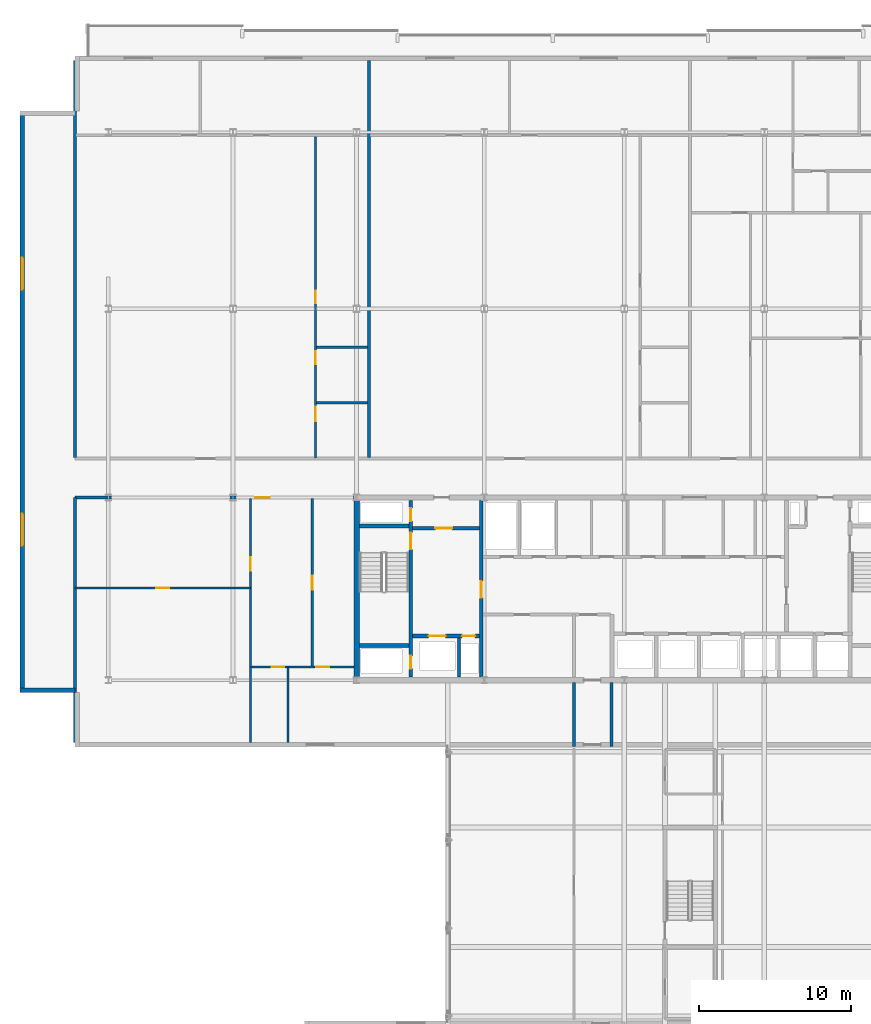
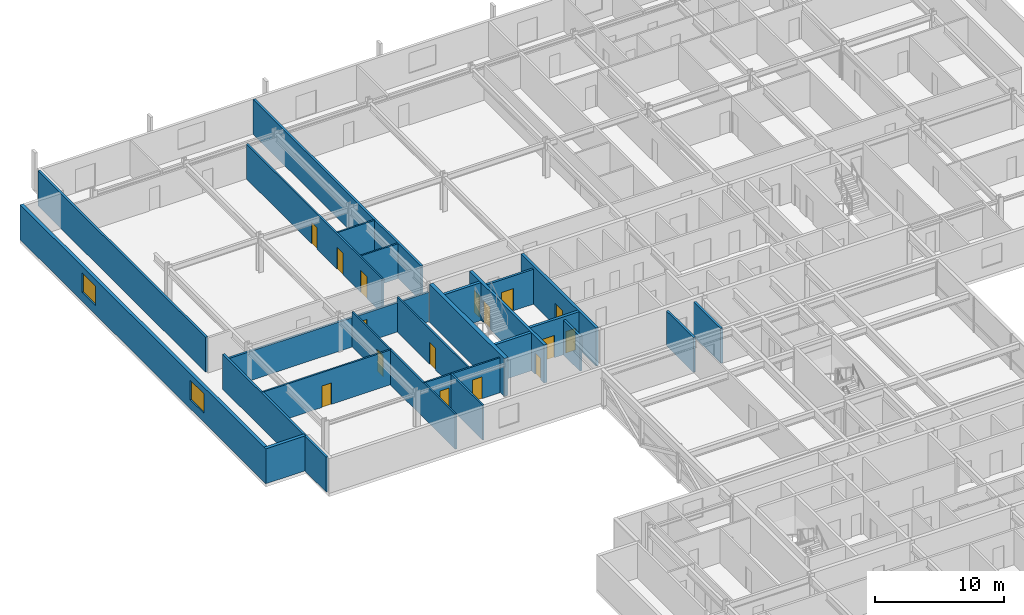
# One storey, part 24 of 36: 24 walls, 16 doors, 2 windows, 18 openings.
"""IFC4 building model written with IfcOpenShell, lengths in metres."""

from ifc_helpers import new_model, si_unit, direction, frame, frame_2d, origin, place, context, subcontext, project, spatial, rectangle, extrude, material, layer, layer_set, type_object, element, fill, save


model = new_model("IFC4")

# Units and contexts
model_context = context("Model", 3, precision=1e-05, world=origin(), true_north=direction((0.0, 1.0)))
body_context = subcontext(model_context, "Body", "Model", "MODEL_VIEW")
ifc_project = project(units=[si_unit("LENGTHUNIT", "METRE"), si_unit("AREAUNIT", "SQUARE_METRE"), si_unit("VOLUMEUNIT", "CUBIC_METRE"), si_unit("PLANEANGLEUNIT", "RADIAN"), si_unit("MASSUNIT", "GRAM", prefix="KILO")], contexts=[model_context])

# Site, building, storey
site_placement = place(None, origin())
site = spatial("IfcSite", under=ifc_project, at=site_placement, CompositionType="ELEMENT")
building_placement = place(site_placement, origin())
building = spatial("IfcBuilding", under=site, at=building_placement, Name="Korimba Cascade Residences", CompositionType="ELEMENT")
storey_placement = place(building_placement, frame((0.0, 0.0, 139.300048828125)))
storey = spatial("IfcBuildingStorey", under=building, at=storey_placement, Name="L40", CompositionType="ELEMENT", Elevation=139.300048828125)

# Wall, openings, windows
ifc_material_1 = material(Name="Precast concrete C40/50", Category="concrete")
ifc_layer_1 = layer(ifc_material_1, 0.300048828125)
ifc_layer_set_1 = layer_set([ifc_layer_1], Name="Precast concrete C40/50")
wall_type_1 = type_object("IfcWallType", Name="EW-STONE-300", PredefinedType="STANDARD", material=ifc_layer_set_1)
wall_1_placement = place(storey_placement, frame((54.14990234375, 92.60009765625, 0.0), z_axis=(0.0, 0.0, 1.0), x_axis=(0.0, -1.0, 0.0)))
wall_1 = element("IfcWall", 1, at=wall_1_placement, inside=storey, type_object=wall_type_1, Name="L40 T1 Perimeter Stone Wall E09", PredefinedType="STANDARD", context=body_context, shape_type="SweptSolid", body=[
    extrude(rectangle(XDim=38.2001953125, YDim=0.300048828125, at=frame_2d((19.10009765625, 0.0))), origin(), (0.0, 0.0, 1.0), 3.31005859375),
])
opening_1_placement = place(wall_1_placement, frame((9.64599609375, 0.0, 0.85009765625)))
opening_1 = element("IfcOpeningElement", 2, at=opening_1_placement, cuts=wall_1, Name="Opening W-03", PredefinedType="OPENING", context=body_context, shape_type="SweptSolid", body=[
    extrude(rectangle(XDim=2.10009765625, YDim=1.85009765625, at=frame_2d((1.050048828125, 0.925048828125))), frame((0.0, 0.16015625, 0.0), z_axis=(0.0, -1.0, 0.0), x_axis=(1.0, 0.0, 0.0)), (0.0, 0.0, 1.0), 0.320068359375),
])
opening_2_placement = place(wall_1_placement, frame((26.4541015625, 0.0, 0.85009765625)))
opening_2 = element("IfcOpeningElement", 3, at=opening_2_placement, cuts=wall_1, Name="Opening W-03", PredefinedType="OPENING", context=body_context, shape_type="SweptSolid", body=[
    extrude(rectangle(XDim=2.10009765625, YDim=1.85009765625, at=frame_2d((1.050048828125, 0.925048828125))), frame((0.0, 0.16015625, 0.0), z_axis=(0.0, -1.0, 0.0), x_axis=(1.0, 0.0, 0.0)), (0.0, 0.0, 1.0), 0.320068359375),
])
ifc_material_2 = material(Name="Double-Glazed Aluminium Window", Category="aluminium")
window_type = type_object("IfcWindowType", Name="WIN-CRN-2100", PartitioningType="DOUBLE_PANEL_HORIZONTAL", PredefinedType="WINDOW", material=ifc_material_2)
window_1_placement = place(opening_1_placement, origin())
window_1 = element("IfcWindow", 4, at=window_1_placement, inside=storey, type_object=window_type, Name="L40 T1 End View Window 9.1", OverallHeight=1.85009765625, OverallWidth=2.10009765625, PartitioningType="DOUBLE_PANEL_HORIZONTAL", PredefinedType="WINDOW", context=body_context, shape_type="SweptSolid", body=[
    extrude(rectangle(XDim=2.10009765625, YDim=1.85009765625, at=frame_2d((1.050048828125, 0.925048828125))), frame((0.0, 0.030029296875, 0.0), z_axis=(0.0, -1.0, 0.0), x_axis=(1.0, 0.0, 0.0)), (0.0, 0.0, 1.0), 0.06005859375),
])
fill(opening_1, window_1)
window_2_placement = place(opening_2_placement, origin())
window_2 = element("IfcWindow", 5, at=window_2_placement, inside=storey, type_object=window_type, Name="L40 T1 End View Window 9.2", OverallHeight=1.85009765625, OverallWidth=2.10009765625, PartitioningType="DOUBLE_PANEL_HORIZONTAL", PredefinedType="WINDOW", context=body_context, shape_type="SweptSolid", body=[
    extrude(rectangle(XDim=2.10009765625, YDim=1.85009765625, at=frame_2d((1.050048828125, 0.925048828125))), frame((0.0, 0.030029296875, 0.0), z_axis=(0.0, -1.0, 0.0), x_axis=(1.0, 0.0, 0.0)), (0.0, 0.0, 1.0), 0.06005859375),
])
fill(opening_2, window_2)

# Walls
wall_2_placement = place(storey_placement, frame((54.0, 54.550048828125, 0.0), z_axis=(0.0, 0.0, 1.0), x_axis=(1.0, 0.0, 0.0)))
element("IfcWall", 6, at=wall_2_placement, inside=storey, type_object=wall_type_1, Name="L40 T1 Perimeter Stone Wall E10", PredefinedType="STANDARD", context=body_context, shape_type="SweptSolid", body=[
    extrude(rectangle(XDim=3.60009765625, YDim=0.300048828125, at=frame_2d((1.800048828125, 0.0))), origin(), (0.0, 0.0, 1.0), 3.31005859375),
])
ifc_material_3 = material(Name="Concrete C65/80", Category="concrete")
ifc_layer_2 = layer(ifc_material_3, 0.35009765625)
ifc_layer_set_2 = layer_set([ifc_layer_2], Name="Concrete C65/80")
wall_type_2 = type_object("IfcWallType", Name="WAL-CORE-350", PredefinedType="SHEAR", material=ifc_layer_set_2)
wall_3_placement = place(storey_placement, frame((76.125, 55.375, 0.0), z_axis=(0.0, 0.0, 1.0), x_axis=(0.0, 1.0, 0.0)))
element("IfcWall", 7, at=wall_3_placement, inside=storey, type_object=wall_type_2, Name="L40 Core Shear Wall CW-L40-T1-W", PredefinedType="SHEAR", context=body_context, shape_type="SweptSolid", body=[
    extrude(rectangle(XDim=11.64990234375, YDim=0.35009765625, at=frame_2d((5.824951171875, 0.0))), origin(), (0.0, 0.0, 1.0), 3.599853515625),
])
ifc_layer_3 = layer(ifc_material_1, 0.199951171875)
ifc_layer_set_3 = layer_set([ifc_layer_3], Name="Precast concrete C40/50")
wall_type_3 = type_object("IfcWallType", Name="WAL-IT-200", PredefinedType="PARTITIONING", material=ifc_layer_set_3)
wall_4_placement = place(storey_placement, frame((57.60009765625, 51.10009765625, 0.0), z_axis=(0.0, 0.0, 1.0), x_axis=(0.0, 1.0, 0.0)))
element("IfcWall", 8, at=wall_4_placement, inside=storey, type_object=wall_type_3, Name="L40 Partition Wall WAL-L40-T1-FW-WL", PredefinedType="PARTITIONING", context=body_context, shape_type="SweptSolid", body=[
    extrude(rectangle(XDim=16.099853515625, YDim=0.199951171875, at=frame_2d((8.0498046875, 0.0))), origin(), (0.0, 0.0, 1.0), 3.31005859375),
])

# Wall, opening, door
wall_5_placement = place(storey_placement, frame((57.60009765625, 67.199951171875, 0.0), z_axis=(0.0, 0.0, 1.0), x_axis=(1.0, 0.0, 0.0)))
wall_5 = element("IfcWall", 9, at=wall_5_placement, inside=storey, type_object=wall_type_3, Name="L40 Partition Wall WAL-L40-T1-FW-N", PredefinedType="PARTITIONING", context=body_context, shape_type="SweptSolid", body=[
    extrude(rectangle(XDim=18.349853515625, YDim=0.199951171875, at=frame_2d((9.1748046875, 0.0))), origin(), (0.0, 0.0, 1.0), 2.773193359375),
])
opening_3_placement = place(wall_5_placement, frame((11.8701171875, 0.0, 0.0)))
opening_3 = element("IfcOpeningElement", 10, at=opening_3_placement, cuts=wall_5, Name="Opening D-UN1", PredefinedType="OPENING", context=body_context, shape_type="SweptSolid", body=[
    extrude(rectangle(XDim=0.949951171875, YDim=2.14990234375, at=frame_2d((0.47509765625, 1.074951171875))), frame((0.0, 0.10986328125, 0.0), z_axis=(0.0, -1.0, 0.0), x_axis=(1.0, 0.0, 0.0)), (0.0, 0.0, 1.0), 0.219970703125),
])
ifc_material_4 = material(Name="Fire-Rated Hardwood Apartment Entrance Door", Category="wood")
door_type_1 = type_object("IfcDoorType", Name="DR-FD60-950", OperationType="NOTDEFINED", PredefinedType="DOOR", material=ifc_material_4)
door_1_placement = place(opening_3_placement, origin())
door_1 = element("IfcDoor", 11, at=door_1_placement, inside=storey, type_object=door_type_1, Name="L40-T1-FW Entrance Door", OperationType="SINGLE_SWING_RIGHT", OverallHeight=2.14990234375, OverallWidth=0.949951171875, PredefinedType="DOOR", context=body_context, shape_type="SweptSolid", body=[
    extrude(rectangle(XDim=0.949951171875, YDim=2.14990234375, at=frame_2d((0.47509765625, 1.074951171875))), frame((0.0, 0.02490234375, 0.0), z_axis=(0.0, -1.0, 0.0), x_axis=(1.0, 0.0, 0.0)), (0.0, 0.0, 1.0), 0.050048828125),
])
fill(opening_3, door_1)

# Walls
for number, where, z_axis, x_axis, name in (
    (12, (57.60009765625, 69.830078125, 0.0), (0.0, 0.0, 1.0), (0.0, 1.0, 0.0), "L40 Partition Wall WAL-L40-T1-BNDWL"),
    (13, (76.914306640625, 69.830078125, 0.0), (0.0, 0.0, 1.0), (0.0, 1.0, 0.0), "L40 Partition Wall WAL-L40-T1-DEM-1"),
):
    element("IfcWall", number, at=place(storey_placement, frame(where, z_axis=z_axis, x_axis=x_axis)), inside=storey, type_object=wall_type_3, Name=name, PredefinedType="PARTITIONING", context=body_context, shape_type="SweptSolid", body=[
        extrude(rectangle(XDim=26.06982421875, YDim=0.199951171875, at=frame_2d((13.034912109375, 0.0))), origin(), (0.0, 0.0, 1.0), 3.31005859375),
    ])

# Wall, opening, door
ifc_material_5 = material(Name="Insulated Acoustic Stud Partition", Category="gypsum")
ifc_layer_4 = layer(ifc_material_5, 0.14990234375)
ifc_layer_set_4 = layer_set([ifc_layer_4], Name="Insulated Acoustic Stud Partition")
wall_type_4 = type_object("IfcWallType", Name="WAL-PART-150", PredefinedType="PARTITIONING", material=ifc_layer_set_4)
wall_6_placement = place(storey_placement, frame((57.60009765625, 61.25, 0.0), z_axis=(0.0, 0.0, 1.0), x_axis=(1.0, 0.0, 0.0)))
wall_6 = element("IfcWall", 14, at=wall_6_placement, inside=storey, type_object=wall_type_4, Name="L40 Partition Wall WAL-L40-T1-FW-STH", PredefinedType="PARTITIONING", context=body_context, shape_type="SweptSolid", body=[
    extrude(rectangle(XDim=11.5498046875, YDim=0.14990234375, at=frame_2d((5.77490234375, 0.0))), origin(), (0.0, 0.0, 1.0), 3.31005859375),
])
opening_4_placement = place(wall_6_placement, frame((5.35498046875, 0.0, 0.0)))
opening_4 = element("IfcOpeningElement", 15, at=opening_4_placement, cuts=wall_6, Name="Opening D-BT1", PredefinedType="OPENING", context=body_context, shape_type="SweptSolid", body=[
    extrude(rectangle(XDim=0.840087890625, YDim=2.0400390625, at=frame_2d((0.419921875, 1.02001953125))), frame((0.0, 0.0849609375, 0.0), z_axis=(0.0, -1.0, 0.0), x_axis=(1.0, 0.0, 0.0)), (0.0, 0.0, 1.0), 0.169921875),
])
ifc_material_6 = material(Name="Moisture-Resistant Bathroom Timber Door", Category="wood")
door_type_2 = type_object("IfcDoorType", Name="DR-INT-850", OperationType="NOTDEFINED", PredefinedType="DOOR", material=ifc_material_6)
door_2_placement = place(opening_4_placement, origin())
door_2 = element("IfcDoor", 16, at=door_2_placement, inside=storey, type_object=door_type_2, Name="L40-T1-FW Dressing Store Door", OperationType="SINGLE_SWING_LEFT", OverallHeight=2.0400390625, OverallWidth=0.840087890625, PredefinedType="DOOR", context=body_context, shape_type="SweptSolid", body=[
    extrude(rectangle(XDim=0.840087890625, YDim=2.0400390625, at=frame_2d((0.419921875, 1.02001953125))), frame((0.0, 0.02490234375, 0.0), z_axis=(0.0, -1.0, 0.0), x_axis=(1.0, 0.0, 0.0)), (0.0, 0.0, 1.0), 0.050048828125),
])
fill(opening_4, door_2)

wall_7_placement = place(storey_placement, frame((69.14990234375, 51.10009765625, 0.0), z_axis=(0.0, 0.0, 1.0), x_axis=(0.0, 1.0, 0.0)))
wall_7 = element("IfcWall", 17, at=wall_7_placement, inside=storey, type_object=wall_type_4, Name="L40 Partition Wall WAL-L40-T1-FW-STV", PredefinedType="PARTITIONING", context=body_context, shape_type="SweptSolid", body=[
    extrude(rectangle(XDim=16.0498046875, YDim=0.14990234375, at=frame_2d((8.02490234375, 0.0))), origin(), (0.0, 0.0, 1.0), 3.31005859375),
])
opening_5_placement = place(wall_7_placement, frame((11.300048828125, 0.0, 0.0)))
opening_5 = element("IfcOpeningElement", 18, at=opening_5_placement, cuts=wall_7, Name="Opening D-IN2", PredefinedType="OPENING", context=body_context, shape_type="SweptSolid", body=[
    extrude(rectangle(XDim=0.8798828125, YDim=2.06005859375, at=frame_2d((0.43994140625, 1.030029296875))), frame((0.0, 0.0849609375, 0.0), z_axis=(0.0, -1.0, 0.0), x_axis=(1.0, 0.0, 0.0)), (0.0, 0.0, 1.0), 0.169921875),
])
ifc_material_7 = material(Name="Acoustic Timber Bedroom Door", Category="wood")
door_type_3 = type_object("IfcDoorType", Name="DR-INT-880", OperationType="NOTDEFINED", PredefinedType="DOOR", material=ifc_material_7)
door_3_placement = place(opening_5_placement, origin())
door_3 = element("IfcDoor", 19, at=door_3_placement, inside=storey, type_object=door_type_3, Name="L40-T1-FW Study Door", OperationType="SINGLE_SWING_RIGHT", OverallHeight=2.06005859375, OverallWidth=0.8798828125, PredefinedType="DOOR", context=body_context, shape_type="SweptSolid", body=[
    extrude(rectangle(XDim=0.8798828125, YDim=2.06005859375, at=frame_2d((0.43994140625, 1.030029296875))), frame((0.0, 0.02490234375, 0.0), z_axis=(0.0, -1.0, 0.0), x_axis=(1.0, 0.0, 0.0)), (0.0, 0.0, 1.0), 0.050048828125),
])
fill(opening_5, door_3)

wall_8_placement = place(storey_placement, frame((73.199951171875, 56.070068359375, 0.0), z_axis=(0.0, 0.0, 1.0), x_axis=(0.0, 1.0, 0.0)))
wall_8 = element("IfcWall", 20, at=wall_8_placement, inside=storey, type_object=wall_type_4, Name="L40 Partition Wall WAL-L40-T1-FW-VN", PredefinedType="PARTITIONING", context=body_context, shape_type="SweptSolid", body=[
    extrude(rectangle(XDim=11.079833984375, YDim=0.14990234375, at=frame_2d((5.5400390625, 0.0))), origin(), (0.0, 0.0, 1.0), 3.31005859375),
])
opening_6_placement = place(wall_8_placement, frame((5.080078125, 0.0, 0.0)))
opening_6 = element("IfcOpeningElement", 21, at=opening_6_placement, cuts=wall_8, Name="Opening D-IN1", PredefinedType="OPENING", context=body_context, shape_type="SweptSolid", body=[
    extrude(rectangle(XDim=0.919921875, YDim=2.080078125, at=frame_2d((0.4599609375, 1.0400390625))), frame((0.0, 0.0849609375, 0.0), z_axis=(0.0, -1.0, 0.0), x_axis=(1.0, 0.0, 0.0)), (0.0, 0.0, 1.0), 0.169921875),
])
ifc_material_8 = material(Name="Acoustic Timber Living Door", Category="wood")
door_type_4 = type_object("IfcDoorType", Name="DR-INT-920", OperationType="NOTDEFINED", PredefinedType="DOOR", material=ifc_material_8)
door_4_placement = place(opening_6_placement, origin())
door_4 = element("IfcDoor", 22, at=door_4_placement, inside=storey, type_object=door_type_4, Name="L40-T1-FW Living Door", OperationType="SINGLE_SWING_LEFT", OverallHeight=2.080078125, OverallWidth=0.919921875, PredefinedType="DOOR", context=body_context, shape_type="SweptSolid", body=[
    extrude(rectangle(XDim=0.919921875, YDim=2.080078125, at=frame_2d((0.4599609375, 1.0400390625))), frame((0.0, 0.02490234375, 0.0), z_axis=(0.0, -1.0, 0.0), x_axis=(1.0, 0.0, 0.0)), (0.0, 0.0, 1.0), 0.050048828125),
])
fill(opening_6, door_4)

# Wall
wall_9_placement = place(storey_placement, frame((71.60009765625, 51.10009765625, 0.0), z_axis=(0.0, 0.0, 1.0), x_axis=(0.0, 1.0, 0.0)))
element("IfcWall", 23, at=wall_9_placement, inside=storey, type_object=wall_type_4, Name="L40 Partition Wall WAL-L40-T1-FW-VS", PredefinedType="PARTITIONING", context=body_context, shape_type="SweptSolid", body=[
    extrude(rectangle(XDim=4.969970703125, YDim=0.14990234375, at=frame_2d((2.48486328125, 0.0))), origin(), (0.0, 0.0, 1.0), 3.31005859375),
])

# Wall, openings, doors
wall_10_placement = place(storey_placement, frame((69.169921875, 56.070068359375, 0.0), z_axis=(0.0, 0.0, 1.0), x_axis=(1.0, 0.0, 0.0)))
wall_10 = element("IfcWall", 24, at=wall_10_placement, inside=storey, type_object=wall_type_4, Name="L40 Partition Wall WAL-L40-T1-FW-H", PredefinedType="PARTITIONING", context=body_context, shape_type="SweptSolid", body=[
    extrude(rectangle(XDim=6.760009765625, YDim=0.14990234375, at=frame_2d((3.3798828125, 0.0))), origin(), (0.0, 0.0, 1.0), 3.31005859375),
])
opening_7_placement = place(wall_10_placement, frame((1.3623046875, 0.0, 0.0)))
opening_7 = element("IfcOpeningElement", 25, at=opening_7_placement, cuts=wall_10, Name="Opening D-BT1", PredefinedType="OPENING", context=body_context, shape_type="SweptSolid", body=[
    extrude(rectangle(XDim=0.840087890625, YDim=2.0400390625, at=frame_2d((0.419921875, 1.02001953125))), frame((0.0, 0.0849609375, 0.0), z_axis=(0.0, -1.0, 0.0), x_axis=(1.0, 0.0, 0.0)), (0.0, 0.0, 1.0), 0.169921875),
])
opening_8_placement = place(wall_10_placement, frame((4.276611328125, 0.0, 0.0)))
opening_8 = element("IfcOpeningElement", 26, at=opening_8_placement, cuts=wall_10, Name="Opening D-IN2", PredefinedType="OPENING", context=body_context, shape_type="SweptSolid", body=[
    extrude(rectangle(XDim=0.8798828125, YDim=2.06005859375, at=frame_2d((0.43994140625, 1.030029296875))), frame((0.0, 0.0849609375, 0.0), z_axis=(0.0, -1.0, 0.0), x_axis=(1.0, 0.0, 0.0)), (0.0, 0.0, 1.0), 0.169921875),
])
door_5_placement = place(opening_7_placement, origin())
door_5 = element("IfcDoor", 27, at=door_5_placement, inside=storey, type_object=door_type_2, Name="L40-T1-FW Bathroom Door", OperationType="SINGLE_SWING_RIGHT", OverallHeight=2.0400390625, OverallWidth=0.840087890625, PredefinedType="DOOR", context=body_context, shape_type="SweptSolid", body=[
    extrude(rectangle(XDim=0.840087890625, YDim=2.0400390625, at=frame_2d((0.419921875, 1.02001953125))), frame((0.0, 0.02490234375, 0.0), z_axis=(0.0, -1.0, 0.0), x_axis=(1.0, 0.0, 0.0)), (0.0, 0.0, 1.0), 0.050048828125),
])
fill(opening_7, door_5)
door_6_placement = place(opening_8_placement, origin())
door_6 = element("IfcDoor", 28, at=door_6_placement, inside=storey, type_object=door_type_3, Name="L40-T1-FW Bedroom Door", OperationType="SINGLE_SWING_LEFT", OverallHeight=2.06005859375, OverallWidth=0.8798828125, PredefinedType="DOOR", context=body_context, shape_type="SweptSolid", body=[
    extrude(rectangle(XDim=0.8798828125, YDim=2.06005859375, at=frame_2d((0.43994140625, 1.030029296875))), frame((0.0, 0.02490234375, 0.0), z_axis=(0.0, -1.0, 0.0), x_axis=(1.0, 0.0, 0.0)), (0.0, 0.0, 1.0), 0.050048828125),
])
fill(opening_8, door_6)

# Walls
for number, where, z_axis, x_axis, name in (
    (29, (73.474365234375, 73.419921875, 0.0), (0.0, 0.0, 1.0), (1.0, 0.0, 0.0), "L40 Partition Wall WAL-L40-T1-U01-WCH"),
    (30, (73.474365234375, 77.070068359375, 0.0), (0.0, 0.0, 1.0), (1.0, 0.0, 0.0), "L40 Partition Wall WAL-L40-T1-U01-WCH2"),
):
    element("IfcWall", number, at=place(storey_placement, frame(where, z_axis=z_axis, x_axis=x_axis)), inside=storey, type_object=wall_type_4, Name=name, PredefinedType="PARTITIONING", context=body_context, shape_type="SweptSolid", body=[
        extrude(rectangle(XDim=3.35986328125, YDim=0.14990234375, at=frame_2d((1.679931640625, 0.0))), origin(), (0.0, 0.0, 1.0), 3.31005859375),
    ])

# Wall, openings, doors
wall_11_placement = place(storey_placement, frame((73.414306640625, 69.81005859375, 0.0), z_axis=(0.0, 0.0, 1.0), x_axis=(0.0, 1.0, 0.0)))
wall_11 = element("IfcWall", 31, at=wall_11_placement, inside=storey, type_object=wall_type_4, Name="L40 Partition Wall WAL-L40-T1-U01-WCV", PredefinedType="PARTITIONING", context=body_context, shape_type="SweptSolid", body=[
    extrude(rectangle(XDim=21.1298828125, YDim=0.14990234375, at=frame_2d((10.56494140625, 0.0))), origin(), (0.0, 0.0, 1.0), 3.31005859375),
])
opening_9_placement = place(wall_11_placement, frame((2.406005859375, 0.0, 0.0)))
opening_9 = element("IfcOpeningElement", 32, at=opening_9_placement, cuts=wall_11, Name="Opening D-AC1", PredefinedType="OPENING", context=body_context, shape_type="SweptSolid", body=[
    extrude(rectangle(XDim=0.9599609375, YDim=2.10009765625, at=frame_2d((0.47998046875, 1.050048828125))), frame((0.0, 0.0849609375, 0.0), z_axis=(0.0, -1.0, 0.0), x_axis=(1.0, 0.0, 0.0)), (0.0, 0.0, 1.0), 0.169921875),
])
opening_10_placement = place(wall_11_placement, frame((6.132568359375, 0.0, 0.0)))
opening_10 = element("IfcOpeningElement", 33, at=opening_10_placement, cuts=wall_11, Name="Opening D-IN2", PredefinedType="OPENING", context=body_context, shape_type="SweptSolid", body=[
    extrude(rectangle(XDim=0.8798828125, YDim=2.06005859375, at=frame_2d((0.43994140625, 1.030029296875))), frame((0.0, 0.0849609375, 0.0), z_axis=(0.0, -1.0, 0.0), x_axis=(1.0, 0.0, 0.0)), (0.0, 0.0, 1.0), 0.169921875),
])
opening_11_placement = place(wall_11_placement, frame((10.14501953125, 0.0, 0.0)))
opening_11 = element("IfcOpeningElement", 34, at=opening_11_placement, cuts=wall_11, Name="Opening D-BT1", PredefinedType="OPENING", context=body_context, shape_type="SweptSolid", body=[
    extrude(rectangle(XDim=0.840087890625, YDim=2.0400390625, at=frame_2d((0.419921875, 1.02001953125))), frame((0.0, 0.0849609375, 0.0), z_axis=(0.0, -1.0, 0.0), x_axis=(1.0, 0.0, 0.0)), (0.0, 0.0, 1.0), 0.169921875),
])
ifc_material_9 = material(Name="Accessible Acoustic Timber WC Door", Category="wood")
door_type_5 = type_object("IfcDoorType", Name="DR-ACC-950", OperationType="NOTDEFINED", PredefinedType="DOOR", material=ifc_material_9)
door_7_placement = place(opening_9_placement, origin())
door_7 = element("IfcDoor", 35, at=door_7_placement, inside=storey, type_object=door_type_5, Name="L40-T1-U01 Accessible WC Door", OperationType="SINGLE_SWING_LEFT", OverallHeight=2.10009765625, OverallWidth=0.9599609375, PredefinedType="DOOR", context=body_context, shape_type="SweptSolid", body=[
    extrude(rectangle(XDim=0.9599609375, YDim=2.10009765625, at=frame_2d((0.47998046875, 1.050048828125))), frame((0.0, 0.02490234375, 0.0), z_axis=(0.0, -1.0, 0.0), x_axis=(1.0, 0.0, 0.0)), (0.0, 0.0, 1.0), 0.050048828125),
])
fill(opening_9, door_7)
door_8_placement = place(opening_11_placement, origin())
door_8 = element("IfcDoor", 36, at=door_8_placement, inside=storey, type_object=door_type_2, Name="L40-T1-U01 Suite Store Door", OperationType="SINGLE_SWING_LEFT", OverallHeight=2.0400390625, OverallWidth=0.840087890625, PredefinedType="DOOR", context=body_context, shape_type="SweptSolid", body=[
    extrude(rectangle(XDim=0.840087890625, YDim=2.0400390625, at=frame_2d((0.419921875, 1.02001953125))), frame((0.0, 0.02490234375, 0.0), z_axis=(0.0, -1.0, 0.0), x_axis=(1.0, 0.0, 0.0)), (0.0, 0.0, 1.0), 0.050048828125),
])
fill(opening_11, door_8)
door_9_placement = place(opening_10_placement, origin())
door_9 = element("IfcDoor", 37, at=door_9_placement, inside=storey, type_object=door_type_3, Name="L40-T1-U01 Restroom WC Door", OperationType="SINGLE_SWING_RIGHT", OverallHeight=2.06005859375, OverallWidth=0.8798828125, PredefinedType="DOOR", context=body_context, shape_type="SweptSolid", body=[
    extrude(rectangle(XDim=0.8798828125, YDim=2.06005859375, at=frame_2d((0.43994140625, 1.030029296875))), frame((0.0, 0.02490234375, 0.0), z_axis=(0.0, -1.0, 0.0), x_axis=(1.0, 0.0, 0.0)), (0.0, 0.0, 1.0), 0.050048828125),
])
fill(opening_10, door_9)

# Wall
ifc_material_10 = material(Name="Concrete C40/50", Category="concrete")
ifc_layer_5 = layer(ifc_material_10, 0.199951171875)
ifc_layer_set_5 = layer_set([ifc_layer_5], Name="Concrete C40/50")
wall_type_5 = type_object("IfcWallType", Name="WAL-PART-200", PredefinedType="PARTITIONING", material=ifc_layer_set_5)
wall_12_placement = place(storey_placement, frame((82.85009765625, 55.39990234375, 0.0), z_axis=(0.0, 0.0, 1.0), x_axis=(0.0, 1.0, 0.0)))
element("IfcWall", 38, at=wall_12_placement, inside=storey, type_object=wall_type_5, Name="L40 Partition Wall CW-L40-T1-FFLDIV", PredefinedType="PARTITIONING", context=body_context, shape_type="SweptSolid", body=[
    extrude(rectangle(XDim=2.56005859375, YDim=0.199951171875, at=frame_2d((1.280029296875, 0.0))), origin(), (0.0, 0.0, 1.0), 3.31005859375),
])

# Wall, opening, door
wall_13_placement = place(storey_placement, frame((79.7900390625, 65.179931640625, 0.0), z_axis=(0.0, 0.0, 1.0), x_axis=(1.0, 0.0, 0.0)))
wall_13 = element("IfcWall", 39, at=wall_13_placement, inside=storey, type_object=wall_type_5, Name="L40 Partition Wall CW-L40-T1-FFLN", PredefinedType="PARTITIONING", context=body_context, shape_type="SweptSolid", body=[
    extrude(rectangle(XDim=4.389892578125, YDim=0.199951171875, at=frame_2d((2.19482421875, 0.0))), origin(), (0.0, 0.0, 1.0), 3.31005859375),
])
opening_12_placement = place(wall_13_placement, frame((1.5, 0.0, 0.0)))
opening_12 = element("IfcOpeningElement", 40, at=opening_12_placement, cuts=wall_13, Name="Opening D-FD1", PredefinedType="OPENING", context=body_context, shape_type="SweptSolid", body=[
    extrude(rectangle(XDim=1.10009765625, YDim=2.10009765625, at=frame_2d((0.550048828125, 1.050048828125))), frame((0.0, 0.10986328125, 0.0), z_axis=(0.0, -1.0, 0.0), x_axis=(1.0, 0.0, 0.0)), (0.0, 0.0, 1.0), 0.219970703125),
])
ifc_material_11 = material(Name="Fire-Rated Steel Core Door", Category="steel")
door_type_6 = type_object("IfcDoorType", Name="DR-FD120-1100", OperationType="NOTDEFINED", PredefinedType="DOOR", material=ifc_material_11)
door_10_placement = place(opening_12_placement, origin())
door_10 = element("IfcDoor", 41, at=door_10_placement, inside=storey, type_object=door_type_6, Name="L40 West Firefighting Lobby Door", OperationType="SINGLE_SWING_RIGHT", OverallHeight=2.10009765625, OverallWidth=1.10009765625, PredefinedType="DOOR", context=body_context, shape_type="SweptSolid", body=[
    extrude(rectangle(XDim=1.10009765625, YDim=2.10009765625, at=frame_2d((0.550048828125, 1.050048828125))), frame((0.0, 0.02490234375, 0.0), z_axis=(0.0, -1.0, 0.0), x_axis=(1.0, 0.0, 0.0)), (0.0, 0.0, 1.0), 0.050048828125),
])
fill(opening_12, door_10)

# Walls
for number, where, z_axis, x_axis, name in (
    (42, (90.39990234375, 50.85009765625, 0.0), (0.0, 0.0, 1.0), (0.0, 1.0, 0.0), "L40 Partition Wall WAL-L40-T1-SBRGW"),
    (43, (92.85009765625, 50.85009765625, 0.0), (0.0, 0.0, 1.0), (0.0, 1.0, 0.0), "L40 Partition Wall WAL-L40-T1-SBRGE"),
):
    element("IfcWall", number, at=place(storey_placement, frame(where, z_axis=z_axis, x_axis=x_axis)), inside=storey, type_object=wall_type_5, Name=name, PredefinedType="PARTITIONING", context=body_context, shape_type="SweptSolid", body=[
        extrude(rectangle(XDim=4.199951171875, YDim=0.199951171875, at=frame_2d((2.10009765625, 0.0))), origin(), (0.0, 0.0, 1.0), 3.31005859375),
    ])

# Wall, openings, doors
ifc_material_12 = material(Name="Concrete C50/60", Category="concrete")
ifc_layer_6 = layer(ifc_material_12, 0.25)
ifc_layer_set_6 = layer_set([ifc_layer_6], Name="Concrete C50/60")
wall_type_6 = type_object("IfcWallType", Name="WAL-SHAFT-250", PredefinedType="SHEAR", material=ifc_layer_set_6)
wall_14_placement = place(storey_placement, frame((79.6650390625, 55.39990234375, 0.0), z_axis=(0.0, 0.0, 1.0), x_axis=(0.0, 1.0, 0.0)))
wall_14 = element("IfcWall", 44, at=wall_14_placement, inside=storey, type_object=wall_type_6, Name="L40 Core Shear Wall CW-L40-T1-STW1E", PredefinedType="SHEAR", context=body_context, shape_type="SweptSolid", body=[
    extrude(rectangle(XDim=11.60009765625, YDim=0.25, at=frame_2d((5.800048828125, 0.0))), origin(), (0.0, 0.0, 1.0), 3.599853515625),
])
opening_13_placement = place(wall_14_placement, frame((0.550048828125, 0.0, 0.0)))
opening_13 = element("IfcOpeningElement", 45, at=opening_13_placement, cuts=wall_14, Name="Opening D-RS1", PredefinedType="OPENING", context=body_context, shape_type="SweptSolid", body=[
    extrude(rectangle(XDim=0.85009765625, YDim=2.050048828125, at=frame_2d((0.425048828125, 1.02490234375))), frame((0.0, 0.135009765625, 0.0), z_axis=(0.0, -1.0, 0.0), x_axis=(1.0, 0.0, 0.0)), (0.0, 0.0, 1.0), 0.27001953125),
])
opening_14_placement = place(wall_14_placement, frame((8.39990234375, 0.0, 0.0)))
opening_14 = element("IfcOpeningElement", 46, at=opening_14_placement, cuts=wall_14, Name="Opening D-FD1", PredefinedType="OPENING", context=body_context, shape_type="SweptSolid", body=[
    extrude(rectangle(XDim=1.10009765625, YDim=2.10009765625, at=frame_2d((0.550048828125, 1.050048828125))), frame((0.0, 0.135009765625, 0.0), z_axis=(0.0, -1.0, 0.0), x_axis=(1.0, 0.0, 0.0)), (0.0, 0.0, 1.0), 0.27001953125),
])
opening_15_placement = place(wall_14_placement, frame((10.25, 0.0, 0.0)))
opening_15 = element("IfcOpeningElement", 47, at=opening_15_placement, cuts=wall_14, Name="Opening D-RS1", PredefinedType="OPENING", context=body_context, shape_type="SweptSolid", body=[
    extrude(rectangle(XDim=0.85009765625, YDim=2.050048828125, at=frame_2d((0.425048828125, 1.02490234375))), frame((0.0, 0.135009765625, 0.0), z_axis=(0.0, -1.0, 0.0), x_axis=(1.0, 0.0, 0.0)), (0.0, 0.0, 1.0), 0.27001953125),
])
door_11_placement = place(opening_14_placement, origin())
door_11 = element("IfcDoor", 48, at=door_11_placement, inside=storey, type_object=door_type_6, Name="L40 Fire Stair ST-W1 Door", OperationType="SINGLE_SWING_LEFT", OverallHeight=2.10009765625, OverallWidth=1.10009765625, PredefinedType="DOOR", context=body_context, shape_type="SweptSolid", body=[
    extrude(rectangle(XDim=1.10009765625, YDim=2.10009765625, at=frame_2d((0.550048828125, 1.050048828125))), frame((0.0, 0.02490234375, 0.0), z_axis=(0.0, -1.0, 0.0), x_axis=(1.0, 0.0, 0.0)), (0.0, 0.0, 1.0), 0.050048828125),
])
fill(opening_14, door_11)
ifc_material_13 = material(Name="Fire-Rated Steel Riser Access Door", Category="steel")
door_type_7 = type_object("IfcDoorType", Name="DR-FD60-850", OperationType="NOTDEFINED", PredefinedType="DOOR", material=ifc_material_13)
door_12_placement = place(opening_13_placement, origin())
door_12 = element("IfcDoor", 49, at=door_12_placement, inside=storey, type_object=door_type_7, Name="L40 Smoke Riser Access Door", OperationType="SINGLE_SWING_RIGHT", OverallHeight=2.050048828125, OverallWidth=0.85009765625, PredefinedType="DOOR", context=body_context, shape_type="SweptSolid", body=[
    extrude(rectangle(XDim=0.85009765625, YDim=2.050048828125, at=frame_2d((0.425048828125, 1.02490234375))), frame((0.0, 0.02490234375, 0.0), z_axis=(0.0, -1.0, 0.0), x_axis=(1.0, 0.0, 0.0)), (0.0, 0.0, 1.0), 0.050048828125),
])
fill(opening_13, door_12)
door_13_placement = place(opening_15_placement, origin())
door_13 = element("IfcDoor", 50, at=door_13_placement, inside=storey, type_object=door_type_7, Name="L40 Hydrant Riser Access Door", OperationType="SINGLE_SWING_RIGHT", OverallHeight=2.050048828125, OverallWidth=0.85009765625, PredefinedType="DOOR", context=body_context, shape_type="SweptSolid", body=[
    extrude(rectangle(XDim=0.85009765625, YDim=2.050048828125, at=frame_2d((0.425048828125, 1.02490234375))), frame((0.0, 0.02490234375, 0.0), z_axis=(0.0, -1.0, 0.0), x_axis=(1.0, 0.0, 0.0)), (0.0, 0.0, 1.0), 0.050048828125),
])
fill(opening_15, door_13)

# Walls
for number, where, z_axis, x_axis, name in (
    (51, (76.300048828125, 57.47509765625, 0.0), (0.0, 0.0, 1.0), (1.0, 0.0, 0.0), "L40 Core Shear Wall CW-L40-T1-STW1S"),
    (52, (76.300048828125, 65.324951171875, 0.0), (0.0, 0.0, 1.0), (1.0, 0.0, 0.0), "L40 Core Shear Wall CW-L40-T1-STW1N"),
):
    element("IfcWall", number, at=place(storey_placement, frame(where, z_axis=z_axis, x_axis=x_axis)), inside=storey, type_object=wall_type_6, Name=name, PredefinedType="SHEAR", context=body_context, shape_type="SweptSolid", body=[
        extrude(rectangle(XDim=3.239990234375, YDim=0.25, at=frame_2d((1.6201171875, 0.0))), origin(), (0.0, 0.0, 1.0), 3.599853515625),
    ])

# Wall, openings, doors
wall_15_placement = place(storey_placement, frame((79.7900390625, 58.10009765625, 0.0), z_axis=(0.0, 0.0, 1.0), x_axis=(1.0, 0.0, 0.0)))
wall_15 = element("IfcWall", 53, at=wall_15_placement, inside=storey, type_object=wall_type_6, Name="L40 Core Shear Wall CW-L40-T1-FFLS", PredefinedType="SHEAR", context=body_context, shape_type="SweptSolid", body=[
    extrude(rectangle(XDim=4.389892578125, YDim=0.25, at=frame_2d((2.19482421875, 0.0))), origin(), (0.0, 0.0, 1.0), 3.599853515625),
])
opening_16_placement = place(wall_15_placement, frame((1.050048828125, 0.0, 0.0)))
opening_16 = element("IfcOpeningElement", 54, at=opening_16_placement, cuts=wall_15, Name="Opening LD-01", PredefinedType="OPENING", context=body_context, shape_type="SweptSolid", body=[
    extrude(rectangle(XDim=1.1201171875, YDim=2.1201171875, at=frame_2d((0.56005859375, 1.06005859375))), frame((0.0, 0.135009765625, 0.0), z_axis=(0.0, -1.0, 0.0), x_axis=(1.0, 0.0, 0.0)), (0.0, 0.0, 1.0), 0.27001953125),
])
opening_17_placement = place(wall_15_placement, frame((3.260009765625, 0.0, 0.0)))
opening_17 = element("IfcOpeningElement", 55, at=opening_17_placement, cuts=wall_15, Name="Opening D-RS1", PredefinedType="OPENING", context=body_context, shape_type="SweptSolid", body=[
    extrude(rectangle(XDim=0.85009765625, YDim=2.050048828125, at=frame_2d((0.425048828125, 1.02490234375))), frame((0.0, 0.135009765625, 0.0), z_axis=(0.0, -1.0, 0.0), x_axis=(1.0, 0.0, 0.0)), (0.0, 0.0, 1.0), 0.27001953125),
])
door_14_placement = place(opening_17_placement, origin())
door_14 = element("IfcDoor", 56, at=door_14_placement, inside=storey, type_object=door_type_7, Name="L40 Pressurisation Riser Door", OperationType="SINGLE_SWING_LEFT", OverallHeight=2.050048828125, OverallWidth=0.85009765625, PredefinedType="DOOR", context=body_context, shape_type="SweptSolid", body=[
    extrude(rectangle(XDim=0.85009765625, YDim=2.050048828125, at=frame_2d((0.425048828125, 1.02490234375))), frame((0.0, 0.02490234375, 0.0), z_axis=(0.0, -1.0, 0.0), x_axis=(1.0, 0.0, 0.0)), (0.0, 0.0, 1.0), 0.050048828125),
])
fill(opening_17, door_14)
ifc_material_14 = material(Name="Stainless Steel Lift Landing Sliding Door", Category="steel")
door_type_8 = type_object("IfcDoorType", Name="DR-LIFT-1100", OperationType="NOTDEFINED", PredefinedType="DOOR", material=ifc_material_14)
door_15_placement = place(opening_16_placement, origin())
door_15 = element("IfcDoor", 57, at=door_15_placement, inside=storey, type_object=door_type_8, Name="L40 Firefighting Lift Landing Door FFL-W1", OperationType="SLIDING_TO_LEFT", OverallHeight=2.1201171875, OverallWidth=1.1201171875, PredefinedType="DOOR", context=body_context, shape_type="SweptSolid", body=[
    extrude(rectangle(XDim=1.1201171875, YDim=2.1201171875, at=frame_2d((0.56005859375, 1.06005859375))), frame((0.0, 0.02490234375, 0.0), z_axis=(0.0, -1.0, 0.0), x_axis=(1.0, 0.0, 0.0)), (0.0, 0.0, 1.0), 0.050048828125),
])
fill(opening_16, door_15)

# Wall, opening, door
wall_16_placement = place(storey_placement, frame((84.300048828125, 55.39990234375, 0.0), z_axis=(0.0, 0.0, 1.0), x_axis=(0.0, 1.0, 0.0)))
wall_16 = element("IfcWall", 58, at=wall_16_placement, inside=storey, type_object=wall_type_6, Name="L40 Core Shear Wall CW-L40-T1-FFLE", PredefinedType="SHEAR", context=body_context, shape_type="SweptSolid", body=[
    extrude(rectangle(XDim=11.60009765625, YDim=0.25, at=frame_2d((5.800048828125, 0.0))), origin(), (0.0, 0.0, 1.0), 3.599853515625),
])
opening_18_placement = place(wall_16_placement, frame((5.199951171875, 0.0, 0.0)))
opening_18 = element("IfcOpeningElement", 59, at=opening_18_placement, cuts=wall_16, Name="Opening D-FD1", PredefinedType="OPENING", context=body_context, shape_type="SweptSolid", body=[
    extrude(rectangle(XDim=1.10009765625, YDim=2.10009765625, at=frame_2d((0.550048828125, 1.050048828125))), frame((0.0, 0.135009765625, 0.0), z_axis=(0.0, -1.0, 0.0), x_axis=(1.0, 0.0, 0.0)), (0.0, 0.0, 1.0), 0.27001953125),
])
door_16_placement = place(opening_18_placement, origin())
door_16 = element("IfcDoor", 60, at=door_16_placement, inside=storey, type_object=door_type_6, Name="L40 Firefighting Lobby to Lift Lobby Door", OperationType="SINGLE_SWING_LEFT", OverallHeight=2.10009765625, OverallWidth=1.10009765625, PredefinedType="DOOR", context=body_context, shape_type="SweptSolid", body=[
    extrude(rectangle(XDim=1.10009765625, YDim=2.10009765625, at=frame_2d((0.550048828125, 1.050048828125))), frame((0.0, 0.02490234375, 0.0), z_axis=(0.0, -1.0, 0.0), x_axis=(1.0, 0.0, 0.0)), (0.0, 0.0, 1.0), 0.050048828125),
])
fill(opening_18, door_16)

save(model, "model.ifc")
